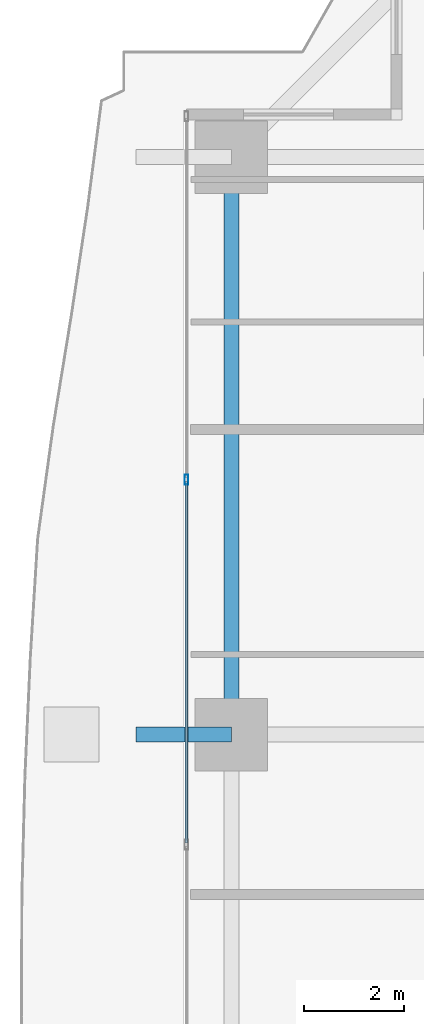
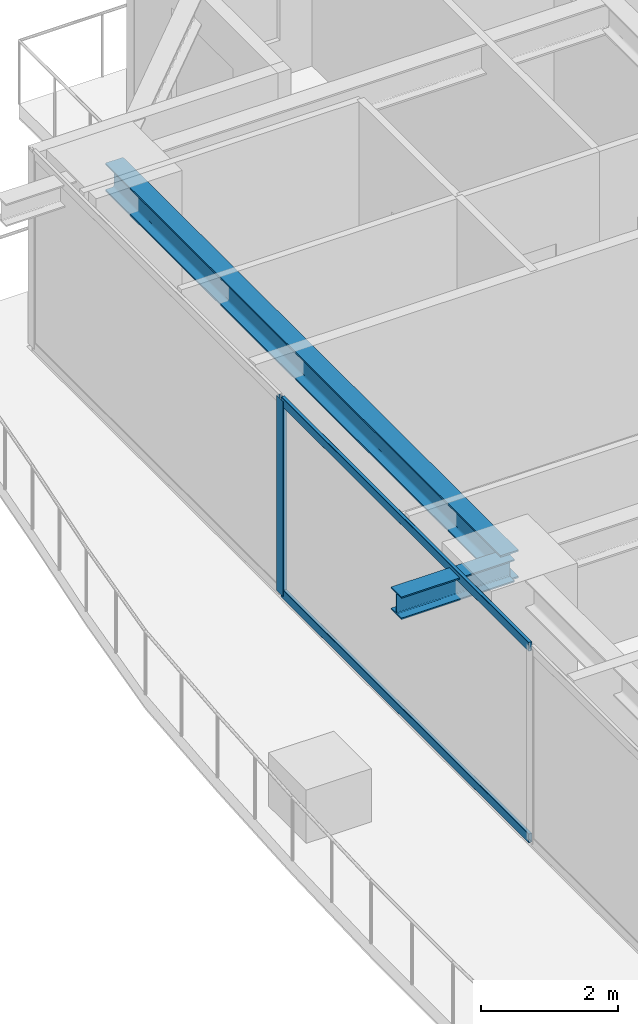
# One storey, part 15 of 39: 3 members, 2 beams, 1 element without a shape of its own.
"""IFC4 building model written with IfcOpenShell, lengths in metres."""

from ifc_helpers import new_model, si_unit, direction, frame, origin, origin_2d, place, context, subcontext, project, spatial, hollow_rectangle, i_section, extrude, source, transform, mapped, material, layer, layer_set, material_profile, profile_set, type_object, element, aggregate, save


model = new_model("IFC4")

# Units and contexts
model_context = context("Model", 3, precision=1e-05, world=origin(), true_north=direction((0.0, 1.0)))
body_context = subcontext(model_context, "Body", "Model", "MODEL_VIEW")
ifc_project = project(units=[si_unit("LENGTHUNIT", "METRE"), si_unit("AREAUNIT", "SQUARE_METRE"), si_unit("VOLUMEUNIT", "CUBIC_METRE"), si_unit("PLANEANGLEUNIT", "RADIAN"), si_unit("MASSUNIT", "GRAM", prefix="KILO")], contexts=[model_context])

# Site, building, storey
site_placement = place(None, origin())
site = spatial("IfcSite", under=ifc_project, at=site_placement, CompositionType="ELEMENT")
building_placement = place(site_placement, origin())
building = spatial("IfcBuilding", under=site, at=building_placement, Name="Serunith Strait Residences", CompositionType="ELEMENT")
storey_placement = place(building_placement, frame((0.0, 0.0, 60.449951171875)))
storey = spatial("IfcBuildingStorey", under=building, at=storey_placement, Name="L14", CompositionType="ELEMENT", Elevation=60.449951171875)

# Beams
ifc_material_1 = material(Name="Steel S355J2", Category="steel")
ifc_material_profile_1 = material_profile(ifc_material_1, i_section(OverallWidth=0.300048828125, OverallDepth=0.5, WebThickness=0.014404296875, FlangeThickness=0.028076171875, FilletRadius=0.027099609375, at=origin_2d()), Name="HEB 500")
ifc_profile_set_1 = profile_set([ifc_material_profile_1], Name="Steel S355J2")
beam_type_1 = type_object("IfcBeamType", Name="BM-HEB500", PredefinedType="BEAM", material=ifc_profile_set_1)
shared_shape_1 = source(origin(), body_context, "Body", "SweptSolid", [
    extrude(i_section(OverallWidth=0.300048828125, OverallDepth=0.5, WebThickness=0.014404296875, FlangeThickness=0.028076171875, FilletRadius=0.027099609375, at=origin_2d()), origin(), (0.0, 0.0, 1.0), 11.550048828125),
])
beam_1_placement = place(storey_placement, frame((6.89990234375, 40.949951171875, 3.237060546875), z_axis=(0.0, -1.0, 0.0), x_axis=(1.0, 0.0, 0.0)))
element("IfcBeam", 1, at=beam_1_placement, inside=storey, type_object=beam_type_1, Name="L14 Perimeter Ring Beam 13", PredefinedType="BEAM", context=body_context, shape_type="MappedRepresentation", body=[
    mapped(shared_shape_1, transform((0.0, 0.0, 0.0), scale=1.0)),
])
ifc_material_profile_2 = material_profile(ifc_material_1, i_section(OverallWidth=0.300048828125, OverallDepth=0.39990234375, WebThickness=0.013427734375, FlangeThickness=0.02392578125, FilletRadius=0.027099609375, at=origin_2d()), Name="HEB 400")
ifc_profile_set_2 = profile_set([ifc_material_profile_2], Name="Steel S355J2")
beam_type_2 = type_object("IfcBeamType", Name="BM-HEB400", PredefinedType="BEAM", material=ifc_profile_set_2)
shared_shape_2 = source(origin(), body_context, "Body", "SweptSolid", [
    extrude(i_section(OverallWidth=0.300048828125, OverallDepth=0.39990234375, WebThickness=0.013427734375, FlangeThickness=0.02392578125, FilletRadius=0.027099609375, at=origin_2d()), origin(), (0.0, 0.0, 1.0), 1.909912109375),
])
beam_2_placement = place(storey_placement, frame((6.89990234375, 29.39990234375, 3.257080078125), z_axis=(-1.0, 0.0, 0.0), x_axis=(0.0, -1.0, 0.0)))
element("IfcBeam", 2, at=beam_2_placement, inside=storey, type_object=beam_type_2, Name="L15 Cantilevered Balcony Rib TC-W3", PredefinedType="BEAM", context=body_context, shape_type="MappedRepresentation", body=[
    mapped(shared_shape_2, transform((0.0, 0.0, 0.0), scale=1.0)),
])

# Curtain wall, members
ifc_material_2 = material(Name="Pale-Champagne Anodised Aluminium", Category="aluminium")
ifc_layer = layer(ifc_material_2, 0.199951171875, Name="Pale-Champagne Anodised Aluminium")
ifc_layer_set = layer_set([ifc_layer], Name="Pale-Champagne Anodised Aluminium")
curtain_wall_type = type_object("IfcCurtainWallType", Name="CW-SYS1", PredefinedType="NOTDEFINED", material=ifc_layer_set)
curtain_wall_placement = place(storey_placement, origin())
curtain_wall = element("IfcCurtainWall", 3, at=curtain_wall_placement, inside=storey, type_object=curtain_wall_type, Name="L14 W Unitised Fritted Curtain Wall", PredefinedType="NOTDEFINED")
ifc_material_profile_3 = material_profile(ifc_material_2, hollow_rectangle(XDim=0.070068359375, YDim=0.199951171875, WallThickness=0.00390625, InnerFilletRadius=0.006103515625, OuterFilletRadius=0.010009765625, at=origin_2d()), Name="ALU 200x70x4")
ifc_profile_set_3 = profile_set([ifc_material_profile_3], Name="Pale-Champagne Anodised Aluminium")
member_type_1 = type_object("IfcMemberType", Name="CW-SYS1-MULL", PredefinedType="MULLION", material=ifc_profile_set_3)
shared_shape_3 = source(origin(), body_context, "Body", "SweptSolid", [
    extrude(hollow_rectangle(XDim=0.070068359375, YDim=0.199951171875, WallThickness=0.00390625, InnerFilletRadius=0.006103515625, OuterFilletRadius=0.010009765625, at=origin_2d()), origin(), (0.0, 0.0, 1.0), 3.47509765625),
])
member_1_placement = place(storey_placement, frame((6.0, 34.5, 0.0), z_axis=(0.0, 0.0, 1.0), x_axis=(1.0, 0.0, 0.0)))
member_1 = element("IfcMember", 4, at=member_1_placement, type_object=member_type_1, Name="CW-1 mullion 2", PredefinedType="MULLION", context=body_context, shape_type="MappedRepresentation", body=[
    mapped(shared_shape_3, transform((0.0, 0.0, 0.0), scale=1.0)),
])
ifc_material_profile_4 = material_profile(ifc_material_2, hollow_rectangle(XDim=0.06005859375, YDim=0.159912109375, WallThickness=0.00341796875, InnerFilletRadius=0.00537109375, OuterFilletRadius=0.0087890625, at=origin_2d()), Name="ALU 160x60x3.5")
ifc_profile_set_4 = profile_set([ifc_material_profile_4], Name="Pale-Champagne Anodised Aluminium")
member_type_2 = type_object("IfcMemberType", Name="CW-SYS1-TRAN", PredefinedType="USERDEFINED", material=ifc_profile_set_4)
shared_shape_4 = source(origin(), body_context, "Body", "SweptSolid", [
    extrude(hollow_rectangle(XDim=0.06005859375, YDim=0.159912109375, WallThickness=0.00341796875, InnerFilletRadius=0.00537109375, OuterFilletRadius=0.0087890625, at=origin_2d()), origin(), (0.0, 0.0, 1.0), 7.22998046875),
])
member_2_placement = place(storey_placement, frame((6.0, 34.465087890625, 0.030029296875), z_axis=(0.0, -1.0, 0.0), x_axis=(1.0, 0.0, 0.0)))
member_2 = element("IfcMember", 5, at=member_2_placement, type_object=member_type_2, Name="CW-1 transom 2.1", ObjectType="TRANSOM", PredefinedType="USERDEFINED", context=body_context, shape_type="MappedRepresentation", body=[
    mapped(shared_shape_4, transform((0.0, 0.0, 0.0), scale=1.0)),
])
member_3_placement = place(storey_placement, frame((6.0, 34.465087890625, 3.445068359375), z_axis=(0.0, -1.0, 0.0), x_axis=(1.0, 0.0, 0.0)))
member_3 = element("IfcMember", 6, at=member_3_placement, type_object=member_type_2, Name="CW-1 transom 2.2", ObjectType="TRANSOM", PredefinedType="USERDEFINED", context=body_context, shape_type="MappedRepresentation", body=[
    mapped(shared_shape_4, transform((0.0, 0.0, 0.0), scale=1.0)),
])
aggregate(curtain_wall, [member_1, member_2, member_3])

save(model, "model.ifc")
